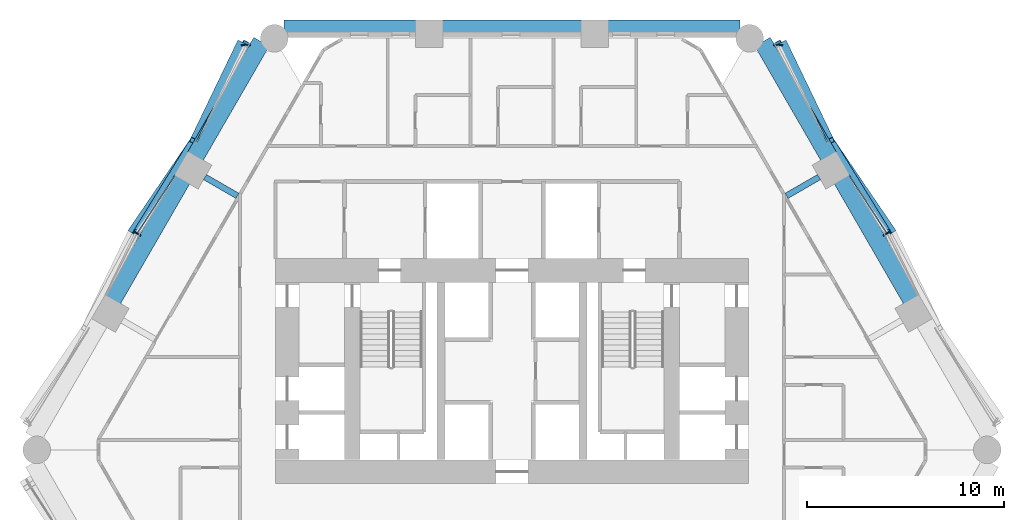
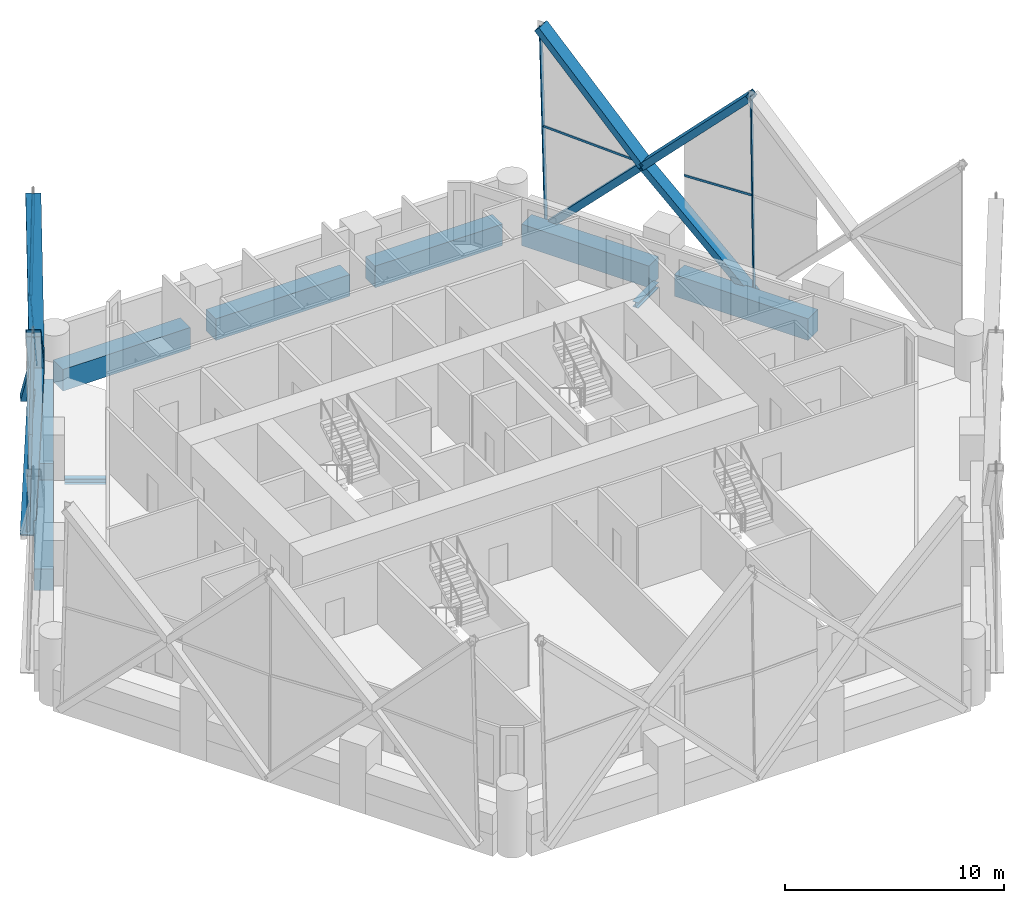
# One storey, part 8 of 22: 20 members, 9 beams, 4 elements without a shape of their own.
"""IFC4 building model written with IfcOpenShell, lengths in metres."""

from ifc_helpers import new_model, si_unit, direction, frame, origin, origin_2d, place, context, subcontext, project, spatial, rectangle, hollow_rectangle, i_section, extrude, material, material_profile, profile_set, type_object, element, aggregate, save


model = new_model("IFC4")

# Units and contexts
model_context = context("Model", 3, precision=1e-05, world=origin(), true_north=direction((0.0, 1.0)))
body_context = subcontext(model_context, "Body", "Model", "MODEL_VIEW")
ifc_project = project(units=[si_unit("LENGTHUNIT", "METRE"), si_unit("AREAUNIT", "SQUARE_METRE"), si_unit("VOLUMEUNIT", "CUBIC_METRE"), si_unit("PLANEANGLEUNIT", "RADIAN"), si_unit("MASSUNIT", "GRAM", prefix="KILO")], contexts=[model_context])

# Site, building, storey
site_placement = place(None, origin())
site = spatial("IfcSite", under=ifc_project, at=site_placement, CompositionType="ELEMENT")
building_placement = place(site_placement, origin())
building = spatial("IfcBuilding", under=site, at=building_placement, Name="Ostrander Bayou Hotel Tower", CompositionType="ELEMENT")
storey_placement = place(building_placement, frame((0.0, 0.0, 35.5)))
storey = spatial("IfcBuildingStorey", under=building, at=storey_placement, Name="L08", CompositionType="ELEMENT", Elevation=35.5)

# Curtain wall, members
ifc_material_1 = material(Name="Aluminium and clear glass", Category="aluminium")
curtain_wall_type = type_object("IfcCurtainWallType", Name="CW-LAT lattice glazing", PredefinedType="NOTDEFINED", material=ifc_material_1)
curtain_wall_1_placement = place(storey_placement, origin())
curtain_wall_1 = element("IfcCurtainWall", 1, at=curtain_wall_1_placement, inside=storey, type_object=curtain_wall_type, Name="CW-LAT L08 NW 1", PredefinedType="NOTDEFINED")
ifc_material_2 = material(Name="Aluminium", Category="aluminium")
ifc_material_profile_1 = material_profile(ifc_material_2, hollow_rectangle(XDim=0.06005859375, YDim=0.159912109375, WallThickness=0.00390625, at=origin_2d()))
ifc_profile_set_1 = profile_set([ifc_material_profile_1], Name="Aluminium")
member_type_1 = type_object("IfcMemberType", Name="CW-LA mullion 60 x 160 mm", PredefinedType="MULLION", material=ifc_profile_set_1)
member_1_placement = place(storey_placement, frame((-13.637939453125, 20.5185546875, -0.60009765625), z_axis=(0.025208999989, 0.0, 0.999682202662), x_axis=(0.0, 1.0, 0.0)))
member_1 = element("IfcMember", 2, at=member_1_placement, type_object=member_type_1, Name="CW-LAT mullion 1", PredefinedType="MULLION", context=body_context, shape_type="SweptSolid", body=[
    extrude(hollow_rectangle(XDim=0.06005859375, YDim=0.159912109375, WallThickness=0.00390625, at=origin_2d()), origin(), (0.0, 0.0, 1.0), 5.626708984375),
])
member_2_placement = place(storey_placement, frame((-13.49609375, 20.5185546875, 5.02490234375), z_axis=(0.025165638507, 0.0, 0.999683295168), x_axis=(0.0, 1.0, 0.0)))
member_2 = element("IfcMember", 3, at=member_2_placement, type_object=member_type_1, Name="CW-LAT mullion 2", PredefinedType="MULLION", context=body_context, shape_type="SweptSolid", body=[
    extrude(hollow_rectangle(XDim=0.06005859375, YDim=0.159912109375, WallThickness=0.00390625, at=origin_2d()), origin(), (0.0, 0.0, 1.0), 5.626708984375),
])
member_3_placement = place(storey_placement, frame((-19.11328125, 11.034912109375, -0.60009765625), z_axis=(0.018919101482, -0.010891501083, 0.999761693007), x_axis=(0.498919206287, 0.866648501757, 0.0)))
member_3 = element("IfcMember", 4, at=member_3_placement, type_object=member_type_1, Name="CW-LAT mullion 4", PredefinedType="MULLION", context=body_context, shape_type="SweptSolid", body=[
    extrude(hollow_rectangle(XDim=0.06005859375, YDim=0.159912109375, WallThickness=0.00390625, at=origin_2d()), origin(), (0.0, 0.0, 1.0), 5.626220703125),
])
member_4_placement = place(storey_placement, frame((-19.0068359375, 10.9736328125, 5.02490234375), z_axis=(0.018875724526, -0.010891510014, 0.999762512817), x_axis=(0.499779910804, 0.866152435058, 0.0)))
member_4 = element("IfcMember", 5, at=member_4_placement, type_object=member_type_1, Name="CW-LAT mullion 5", PredefinedType="MULLION", context=body_context, shape_type="SweptSolid", body=[
    extrude(hollow_rectangle(XDim=0.06005859375, YDim=0.159912109375, WallThickness=0.00390625, at=origin_2d()), origin(), (0.0, 0.0, 1.0), 5.626220703125),
])
aggregate(curtain_wall_1, [member_1, member_2, member_3, member_4])

curtain_wall_2_placement = place(storey_placement, origin())
curtain_wall_2 = element("IfcCurtainWall", 6, at=curtain_wall_2_placement, inside=storey, type_object=curtain_wall_type, Name="CW-LAT L08 NE 1", PredefinedType="NOTDEFINED")
member_5_placement = place(storey_placement, frame((19.11328125, 11.034912109375, -0.60009765625), z_axis=(-0.018919101482, -0.010891501083, 0.999761693007), x_axis=(0.498919206287, -0.866648501757, 0.0)))
member_5 = element("IfcMember", 7, at=member_5_placement, type_object=member_type_1, Name="CW-LAT mullion 4", PredefinedType="MULLION", context=body_context, shape_type="SweptSolid", body=[
    extrude(hollow_rectangle(XDim=0.06005859375, YDim=0.159912109375, WallThickness=0.00390625, at=origin_2d()), origin(), (0.0, 0.0, 1.0), 5.626220703125),
])
member_6_placement = place(storey_placement, frame((19.0068359375, 10.9736328125, 5.02490234375), z_axis=(-0.018875724526, -0.010891510014, 0.999762512817), x_axis=(0.499779910804, -0.866152435058, 0.0)))
member_6 = element("IfcMember", 8, at=member_6_placement, type_object=member_type_1, Name="CW-LAT mullion 5", PredefinedType="MULLION", context=body_context, shape_type="SweptSolid", body=[
    extrude(hollow_rectangle(XDim=0.06005859375, YDim=0.159912109375, WallThickness=0.00390625, at=origin_2d()), origin(), (0.0, 0.0, 1.0), 5.626220703125),
])
member_7_placement = place(storey_placement, frame((13.637939453125, 20.5185546875, -0.60009765625), z_axis=(-0.025208999989, 0.0, 0.999682202662), x_axis=(0.0, -1.0, 0.0)))
member_7 = element("IfcMember", 9, at=member_7_placement, type_object=member_type_1, Name="CW-LAT mullion 8", PredefinedType="MULLION", context=body_context, shape_type="SweptSolid", body=[
    extrude(hollow_rectangle(XDim=0.06005859375, YDim=0.159912109375, WallThickness=0.00390625, at=origin_2d()), origin(), (0.0, 0.0, 1.0), 5.626708984375),
])
member_8_placement = place(storey_placement, frame((13.49609375, 20.5185546875, 5.02490234375), z_axis=(-0.025165638507, 0.0, 0.999683295168), x_axis=(0.0, -1.0, 0.0)))
member_8 = element("IfcMember", 10, at=member_8_placement, type_object=member_type_1, Name="CW-LAT mullion 9", PredefinedType="MULLION", context=body_context, shape_type="SweptSolid", body=[
    extrude(hollow_rectangle(XDim=0.06005859375, YDim=0.159912109375, WallThickness=0.00390625, at=origin_2d()), origin(), (0.0, 0.0, 1.0), 5.626708984375),
])
aggregate(curtain_wall_2, [member_5, member_6, member_7, member_8])

curtain_wall_3_placement = place(storey_placement, origin())
curtain_wall_3 = element("IfcCurtainWall", 11, at=curtain_wall_3_placement, inside=storey, type_object=curtain_wall_type, Name="CW-LAT L08 NW 2", PredefinedType="NOTDEFINED")
ifc_material_3 = material(Name="Aluminium", Category="aluminium")
ifc_material_profile_2 = material_profile(ifc_material_3, hollow_rectangle(XDim=0.06005859375, YDim=0.1201171875, WallThickness=0.00390625, at=origin_2d()))
ifc_profile_set_2 = profile_set([ifc_material_profile_2], Name="Aluminium")
member_type_2 = type_object("IfcMemberType", Name="CW-LA transom 60 x 120 mm", PredefinedType="USERDEFINED", material=ifc_profile_set_2)
member_9_placement = place(storey_placement, frame((-13.49609375, 20.5185546875, 5.02490234375), z_axis=(-0.454278332508, -0.890859807497, 0.0), x_axis=(0.890859807497, -0.454278332508, 0.0)))
member_9 = element("IfcMember", 12, at=member_9_placement, type_object=member_type_2, Name="CW-LAT transom 3", ObjectType="TRANSOM", PredefinedType="USERDEFINED", context=body_context, shape_type="SweptSolid", body=[
    extrude(hollow_rectangle(XDim=0.06005859375, YDim=0.1201171875, WallThickness=0.00390625, at=origin_2d()), origin(), (0.0, 0.0, 1.0), 5.518310546875),
])
member_10_placement = place(storey_placement, frame((-19.0068359375, 10.9736328125, 5.02490234375), z_axis=(0.544355633789, 0.838854542792, 0.0), x_axis=(-0.838854542792, 0.544355633789, 0.0)))
member_10 = element("IfcMember", 13, at=member_10_placement, type_object=member_type_2, Name="CW-LAT transom 6", ObjectType="TRANSOM", PredefinedType="USERDEFINED", context=body_context, shape_type="SweptSolid", body=[
    extrude(hollow_rectangle(XDim=0.06005859375, YDim=0.1201171875, WallThickness=0.00390625, at=origin_2d()), origin(), (0.0, 0.0, 1.0), 3.5),
])
aggregate(curtain_wall_3, [member_9, member_10])

curtain_wall_4_placement = place(storey_placement, origin())
curtain_wall_4 = element("IfcCurtainWall", 14, at=curtain_wall_4_placement, inside=storey, type_object=curtain_wall_type, Name="CW-LAT L08 NE 2", PredefinedType="NOTDEFINED")
member_11_placement = place(storey_placement, frame((19.0068359375, 10.9736328125, 5.02490234375), z_axis=(-0.544355633789, 0.838854542792, 0.0), x_axis=(-0.838854542792, -0.544355633789, 0.0)))
member_11 = element("IfcMember", 15, at=member_11_placement, type_object=member_type_2, Name="CW-LAT transom 7", ObjectType="TRANSOM", PredefinedType="USERDEFINED", context=body_context, shape_type="SweptSolid", body=[
    extrude(hollow_rectangle(XDim=0.06005859375, YDim=0.1201171875, WallThickness=0.00390625, at=origin_2d()), origin(), (0.0, 0.0, 1.0), 3.5),
])
member_12_placement = place(storey_placement, frame((13.49609375, 20.5185546875, 5.02490234375), z_axis=(0.454278332508, -0.890859807497, 0.0), x_axis=(0.890859807497, 0.454278332508, 0.0)))
member_12 = element("IfcMember", 16, at=member_12_placement, type_object=member_type_2, Name="CW-LAT transom 10", ObjectType="TRANSOM", PredefinedType="USERDEFINED", context=body_context, shape_type="SweptSolid", body=[
    extrude(hollow_rectangle(XDim=0.06005859375, YDim=0.1201171875, WallThickness=0.00390625, at=origin_2d()), origin(), (0.0, 0.0, 1.0), 5.518310546875),
])
aggregate(curtain_wall_4, [member_11, member_12])

# Beams
ifc_material_4 = material(Name="Steel ASTM A992", Category="steel")
ifc_material_profile_3 = material_profile(ifc_material_4, i_section(OverallWidth=0.3046875, OverallDepth=0.307861328125, WebThickness=0.010009765625, FlangeThickness=0.015380859375, at=origin_2d()))
ifc_profile_set_3 = profile_set([ifc_material_profile_3], Name="Steel ASTM A992")
beam_type_1 = type_object("IfcBeamType", Name="LB1 loggia bracket W12x65", PredefinedType="BEAM", material=ifc_profile_set_3)
for number, where, z_axis, x_axis, name in (
    (17, (-15.569091796875, 13.833251953125, -0.453857421875), (0.86601224135, -0.500022797313, 0.0), (0.500022797313, 0.86601224135, 0.0), "LB1 L08 NW1"),
    (18, (15.569091796875, 13.833251953125, -0.453857421875), (-0.86601224135, -0.500022797313, 0.0), (0.500022797313, -0.86601224135, 0.0), "LB1 L08 NE2"),
):
    element("IfcBeam", number, at=place(storey_placement, frame(where, z_axis=z_axis, x_axis=x_axis)), inside=storey, type_object=beam_type_1, Name=name, PredefinedType="BEAM", context=body_context, shape_type="SweptSolid", body=[
        extrude(i_section(OverallWidth=0.3046875, OverallDepth=0.307861328125, WebThickness=0.010009765625, FlangeThickness=0.015380859375, at=origin_2d()), origin(), (0.0, 0.0, 1.0), 1.89990234375),
    ])

# Members
ifc_material_5 = material(Name="Steel ASTM A572 Gr 50", Category="steel")
ifc_material_profile_4 = material_profile(ifc_material_5, hollow_rectangle(XDim=0.699951171875, YDim=0.35009765625, WallThickness=0.02490234375, at=origin_2d()))
ifc_profile_set_4 = profile_set([ifc_material_profile_4], Name="Steel ASTM A572 Gr 50")
member_type_3 = type_object("IfcMemberType", Name="LT1 lattice member box 700 x 350 x 25 mm", PredefinedType="BRACE", material=ifc_profile_set_4)
member_13_placement = place(storey_placement, frame((-16.0029296875, 15.6025390625, 5.02490234375), z_axis=(0.301815529557, 0.627372509875, -0.717851739547), x_axis=(-0.901143505067, 0.433520914461, 0.0)))
element("IfcMember", 19, at=member_13_placement, inside=storey, type_object=member_type_3, Name="LT1 L08 NW 1", PredefinedType="BRACE", context=body_context, shape_type="SweptSolid", body=[
    extrude(hollow_rectangle(XDim=0.699951171875, YDim=0.35009765625, WallThickness=0.02490234375, at=origin_2d()), origin(), (0.0, 0.0, 1.0), 7.8359375),
])
member_14_placement = place(storey_placement, frame((-16.0029296875, 15.6025390625, 5.02490234375), z_axis=(0.334143991684, 0.620236303147, 0.709686354018), x_axis=(-0.880369999715, 0.474287532623, 0.0)))
element("IfcMember", 20, at=member_14_placement, inside=storey, type_object=member_type_3, Name="LT1 L08 NW 2", PredefinedType="BRACE", context=body_context, shape_type="SweptSolid", body=[
    extrude(hollow_rectangle(XDim=0.699951171875, YDim=0.35009765625, WallThickness=0.02490234375, at=origin_2d()), origin(), (0.0, 0.0, 1.0), 7.926025390625),
])
member_15_placement = place(storey_placement, frame((-16.0029296875, 15.6025390625, 5.02490234375), z_axis=(-0.394448818323, -0.579257687755, -0.713351709117), x_axis=(0.826559014981, -0.562850064186, 0.0)))
element("IfcMember", 21, at=member_15_placement, inside=storey, type_object=member_type_3, Name="LT1 L08 NW 3", PredefinedType="BRACE", context=body_context, shape_type="SweptSolid", body=[
    extrude(hollow_rectangle(XDim=0.699951171875, YDim=0.35009765625, WallThickness=0.02490234375, at=origin_2d()), origin(), (0.0, 0.0, 1.0), 7.88525390625),
])
member_16_placement = place(storey_placement, frame((-16.0029296875, 15.6025390625, 5.02490234375), z_axis=(-0.367904608413, -0.59548533425, 0.714173239349), x_axis=(0.850731024426, -0.525601297638, 0.0)))
element("IfcMember", 22, at=member_16_placement, inside=storey, type_object=member_type_3, Name="LT1 L08 NW 4", PredefinedType="BRACE", context=body_context, shape_type="SweptSolid", body=[
    extrude(hollow_rectangle(XDim=0.699951171875, YDim=0.35009765625, WallThickness=0.02490234375, at=origin_2d()), origin(), (0.0, 0.0, 1.0), 7.876220703125),
])
member_17_placement = place(storey_placement, frame((16.0029296875, 15.6025390625, 5.02490234375), z_axis=(0.394448818323, -0.579257687755, -0.713351709117), x_axis=(0.826559014981, 0.562850064186, 0.0)))
element("IfcMember", 23, at=member_17_placement, inside=storey, type_object=member_type_3, Name="LT1 L08 NE 5", PredefinedType="BRACE", context=body_context, shape_type="SweptSolid", body=[
    extrude(hollow_rectangle(XDim=0.699951171875, YDim=0.35009765625, WallThickness=0.02490234375, at=origin_2d()), origin(), (0.0, 0.0, 1.0), 7.88525390625),
])
member_18_placement = place(storey_placement, frame((16.0029296875, 15.6025390625, 5.02490234375), z_axis=(0.367904608413, -0.59548533425, 0.714173239349), x_axis=(0.850731024426, 0.525601297638, 0.0)))
element("IfcMember", 24, at=member_18_placement, inside=storey, type_object=member_type_3, Name="LT1 L08 NE 6", PredefinedType="BRACE", context=body_context, shape_type="SweptSolid", body=[
    extrude(hollow_rectangle(XDim=0.699951171875, YDim=0.35009765625, WallThickness=0.02490234375, at=origin_2d()), origin(), (0.0, 0.0, 1.0), 7.876220703125),
])
member_19_placement = place(storey_placement, frame((16.0029296875, 15.6025390625, 5.02490234375), z_axis=(-0.301815529557, 0.627372509875, -0.717851739547), x_axis=(-0.901143505067, -0.433520914461, 0.0)))
element("IfcMember", 25, at=member_19_placement, inside=storey, type_object=member_type_3, Name="LT1 L08 NE 7", PredefinedType="BRACE", context=body_context, shape_type="SweptSolid", body=[
    extrude(hollow_rectangle(XDim=0.699951171875, YDim=0.35009765625, WallThickness=0.02490234375, at=origin_2d()), origin(), (0.0, 0.0, 1.0), 7.8359375),
])
member_20_placement = place(storey_placement, frame((16.0029296875, 15.6025390625, 5.02490234375), z_axis=(-0.334143991684, 0.620236303147, 0.709686354018), x_axis=(-0.880369999715, -0.474287532623, 0.0)))
element("IfcMember", 26, at=member_20_placement, inside=storey, type_object=member_type_3, Name="LT1 L08 NE 8", PredefinedType="BRACE", context=body_context, shape_type="SweptSolid", body=[
    extrude(hollow_rectangle(XDim=0.699951171875, YDim=0.35009765625, WallThickness=0.02490234375, at=origin_2d()), origin(), (0.0, 0.0, 1.0), 7.926025390625),
])

# Beams
ifc_material_6 = material(Name="Concrete f'c 70 MPa", Category="concrete")
ifc_material_profile_5 = material_profile(ifc_material_6, rectangle(XDim=0.89990234375, YDim=1.199951171875, at=origin_2d()))
ifc_profile_set_5 = profile_set([ifc_material_profile_5], Name="Concrete f'c 70 MPa")
beam_type_2 = type_object("IfcBeamType", Name="SP1 spandrel beam 900 x 1200 mm f'c 70 MPa", PredefinedType="SPANDREL", material=ifc_profile_set_5)
beam_1_placement = place(storey_placement, frame((11.569091796875, 21.35009765625, -0.60009765625), z_axis=(-1.0, 0.0, 0.0), x_axis=(0.0, -1.0, 0.0)))
element("IfcBeam", 27, at=beam_1_placement, inside=storey, type_object=beam_type_2, Name="SP1 L08 N-1", PredefinedType="SPANDREL", context=body_context, shape_type="SweptSolid", body=[
    extrude(rectangle(XDim=0.89990234375, YDim=1.199951171875, at=origin_2d()), origin(), (0.0, 0.0, 1.0), 6.70361328125),
])
beam_2_placement = place(storey_placement, frame((3.525390625, 21.35009765625, -0.60009765625), z_axis=(-1.0, 0.0, 0.0), x_axis=(0.0, -1.0, 0.0)))
element("IfcBeam", 28, at=beam_2_placement, inside=storey, type_object=beam_type_2, Name="SP1 L08 N-2", PredefinedType="SPANDREL", context=body_context, shape_type="SweptSolid", body=[
    extrude(rectangle(XDim=0.89990234375, YDim=1.199951171875, at=origin_2d()), origin(), (0.0, 0.0, 1.0), 7.05078125),
])
for number, where, z_axis, x_axis, name in (
    (29, (-4.865478515625, 21.35009765625, -0.60009765625), (-1.0, 0.0, 0.0), (0.0, -1.0, 0.0), "SP1 L08 N-3"),
    (30, (-12.705078125, 20.694091796875, -0.60009765625), (-0.500005133765, -0.866022439784, 0.0), (0.866022439784, -0.500005133765, 0.0), "SP1 L08 NW-1"),
):
    element("IfcBeam", number, at=place(storey_placement, frame(where, z_axis=z_axis, x_axis=x_axis)), inside=storey, type_object=beam_type_2, Name=name, PredefinedType="SPANDREL", context=body_context, shape_type="SweptSolid", body=[
        extrude(rectangle(XDim=0.89990234375, YDim=1.199951171875, at=origin_2d()), origin(), (0.0, 0.0, 1.0), 6.70361328125),
    ])
for number, where, z_axis, x_axis, name in (
    (31, (-16.726806640625, 13.72802734375, -0.60009765625), (-0.499997206141, -0.866027016814, 0.0), (0.866027016814, -0.499997206141, 0.0), "SP1 L08 NW-2"),
    (32, (20.252197265625, 7.621826171875, -0.60009765625), (-0.499997206141, 0.866027016814, 0.0), (-0.866027016814, -0.499997206141, 0.0), "SP1 L08 NE-2"),
):
    element("IfcBeam", number, at=place(storey_placement, frame(where, z_axis=z_axis, x_axis=x_axis)), inside=storey, type_object=beam_type_2, Name=name, PredefinedType="SPANDREL", context=body_context, shape_type="SweptSolid", body=[
        extrude(rectangle(XDim=0.89990234375, YDim=1.199951171875, at=origin_2d()), origin(), (0.0, 0.0, 1.0), 7.05078125),
    ])
beam_3_placement = place(storey_placement, frame((16.056884765625, 14.888671875, -0.60009765625), z_axis=(-0.500005133765, 0.866022439784, 0.0), x_axis=(-0.866022439784, -0.500005133765, 0.0)))
element("IfcBeam", 33, at=beam_3_placement, inside=storey, type_object=beam_type_2, Name="SP1 L08 NE-3", PredefinedType="SPANDREL", context=body_context, shape_type="SweptSolid", body=[
    extrude(rectangle(XDim=0.89990234375, YDim=1.199951171875, at=origin_2d()), origin(), (0.0, 0.0, 1.0), 6.70361328125),
])

save(model, "model.ifc")
